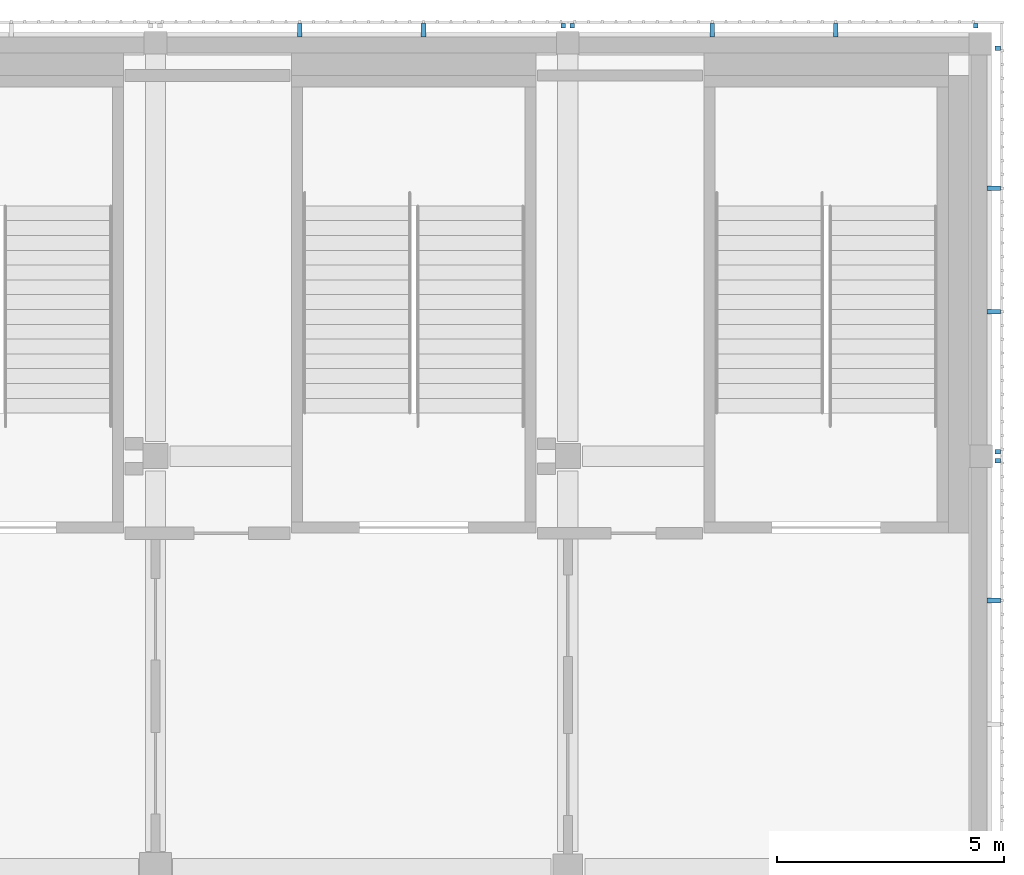
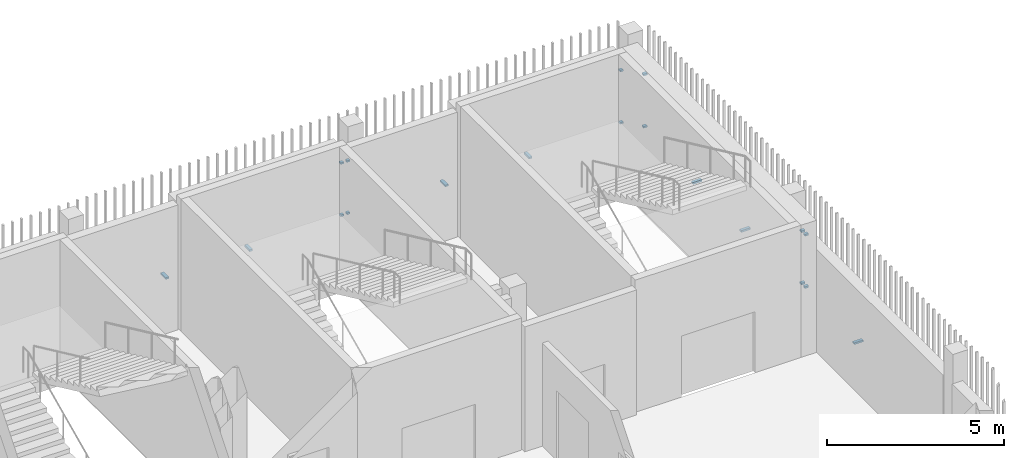
# One storey, part 112 of 139: 19 discrete accessories.
"""IFC4 building model written with IfcOpenShell, lengths in metres."""

from ifc_helpers import new_model, si_unit, direction, frame, origin, origin_2d, place, context, subcontext, project, spatial, rectangle, extrude, material, type_object, element, save


model = new_model("IFC4")

# Units and contexts
model_context = context("Model", 3, precision=1e-05, world=origin(), true_north=direction((0.0, 1.0)))
body_context = subcontext(model_context, "Body", "Model", "MODEL_VIEW")
ifc_project = project(units=[si_unit("LENGTHUNIT", "METRE"), si_unit("AREAUNIT", "SQUARE_METRE"), si_unit("VOLUMEUNIT", "CUBIC_METRE"), si_unit("PLANEANGLEUNIT", "RADIAN"), si_unit("MASSUNIT", "GRAM", prefix="KILO")], contexts=[model_context])

# Site, building, storey
site_placement = place(None, origin())
site = spatial("IfcSite", under=ifc_project, at=site_placement, CompositionType="ELEMENT")
building_placement = place(site_placement, origin())
building = spatial("IfcBuilding", under=site, at=building_placement, Name="Shirokan Park Arena", CompositionType="ELEMENT")
storey_placement = place(building_placement, frame((0.0, 0.0, 15.469970703125)))
storey = spatial("IfcBuildingStorey", under=building, at=storey_placement, Name="L03", CompositionType="ELEMENT", Elevation=15.469970703125)

# Discrete accessories
ifc_material = material(Name="Steel S355", Category="steel")
discrete_accessory_type = type_object("IfcDiscreteAccessoryType", Name="Veil bracket 100x60", PredefinedType="BRACKET", material=ifc_material)
for number, where, z_axis, x_axis, name in (
    (1, (145.985107421875, 100.0, 1.070068359375), (0.0, 0.0, 1.0), (0.0, 1.0, 0.0), "Veil bracket east bay 11 L03 2"),
    (2, (145.985107421875, 100.0, 2.8701171875), (0.0, 0.0, 1.0), (0.0, 1.0, 0.0), "Veil bracket east bay 11 L03 4"),
):
    element("IfcDiscreteAccessory", number, at=place(storey_placement, frame(where, z_axis=z_axis, x_axis=x_axis)), inside=storey, type_object=discrete_accessory_type, Name=name, PredefinedType="BRACKET", context=body_context, shape_type="SweptSolid", body=[
        extrude(rectangle(XDim=0.10009765625, YDim=0.1201171875, at=origin_2d()), origin(), (0.0, 0.0, 1.0), 0.06005859375),
    ])
discrete_accessory_placement = place(storey_placement, frame((145.8974609375, 96.9150390625, 1.070068359375), z_axis=(0.0, 0.0, 1.0), x_axis=(0.0, 1.0, 0.0)))
element("IfcDiscreteAccessory", 3, at=discrete_accessory_placement, inside=storey, type_object=discrete_accessory_type, Name="Veil bracket east bay 11 L03 wall 2", PredefinedType="BRACKET", context=body_context, shape_type="SweptSolid", body=[
    extrude(rectangle(XDim=0.10009765625, YDim=0.294921875, at=origin_2d()), origin(), (0.0, 0.0, 1.0), 0.06005859375),
])
for number, where, z_axis, x_axis, name in (
    (4, (145.985107421875, 100.199951171875, 1.070068359375), (0.0, 0.0, 1.0), (0.0, 1.0, 0.0), "Veil bracket east bay 12 L03 1"),
    (5, (145.985107421875, 109.10009765625, 1.070068359375), (0.0, 0.0, 1.0), (0.0, 1.0, 0.0), "Veil bracket east bay 12 L03 2"),
    (6, (145.985107421875, 100.199951171875, 2.8701171875), (0.0, 0.0, 1.0), (0.0, 1.0, 0.0), "Veil bracket east bay 12 L03 3"),
    (7, (145.985107421875, 109.10009765625, 2.8701171875), (0.0, 0.0, 1.0), (0.0, 1.0, 0.0), "Veil bracket east bay 12 L03 4"),
):
    element("IfcDiscreteAccessory", number, at=place(storey_placement, frame(where, z_axis=z_axis, x_axis=x_axis)), inside=storey, type_object=discrete_accessory_type, Name=name, PredefinedType="BRACKET", context=body_context, shape_type="SweptSolid", body=[
        extrude(rectangle(XDim=0.10009765625, YDim=0.1201171875, at=origin_2d()), origin(), (0.0, 0.0, 1.0), 0.06005859375),
    ])
for number, where, z_axis, x_axis, name in (
    (8, (145.8974609375, 103.284912109375, 1.070068359375), (0.0, 0.0, 1.0), (0.0, 1.0, 0.0), "Veil bracket east bay 12 L03 wall 1"),
    (9, (145.8974609375, 106.014892578125, 1.070068359375), (0.0, 0.0, 1.0), (0.0, 1.0, 0.0), "Veil bracket east bay 12 L03 wall 2"),
):
    element("IfcDiscreteAccessory", number, at=place(storey_placement, frame(where, z_axis=z_axis, x_axis=x_axis)), inside=storey, type_object=discrete_accessory_type, Name=name, PredefinedType="BRACKET", context=body_context, shape_type="SweptSolid", body=[
        extrude(rectangle(XDim=0.10009765625, YDim=0.294921875, at=origin_2d()), origin(), (0.0, 0.0, 1.0), 0.06005859375),
    ])
for number, where, z_axis, x_axis, name in (
    (10, (145.5, 109.597412109375, 1.070068359375), (0.0, 0.0, 1.0), (-1.0, 0.0, 0.0), "Veil bracket north bay 1 L03 1"),
    (11, (136.60009765625, 109.597412109375, 1.070068359375), (0.0, 0.0, 1.0), (-1.0, 0.0, 0.0), "Veil bracket north bay 1 L03 2"),
    (12, (145.5, 109.597412109375, 2.8701171875), (0.0, 0.0, 1.0), (-1.0, 0.0, 0.0), "Veil bracket north bay 1 L03 3"),
    (13, (136.60009765625, 109.597412109375, 2.8701171875), (0.0, 0.0, 1.0), (-1.0, 0.0, 0.0), "Veil bracket north bay 1 L03 4"),
):
    element("IfcDiscreteAccessory", number, at=place(storey_placement, frame(where, z_axis=z_axis, x_axis=x_axis)), inside=storey, type_object=discrete_accessory_type, Name=name, PredefinedType="BRACKET", context=body_context, shape_type="SweptSolid", body=[
        extrude(rectangle(XDim=0.10009765625, YDim=0.094970703125, at=origin_2d()), origin(), (0.0, 0.0, 1.0), 0.06005859375),
    ])
for number, where, z_axis, x_axis, name in (
    (14, (142.4150390625, 109.49755859375, 1.070068359375), (0.0, 0.0, 1.0), (-1.0, 0.0, 0.0), "Veil bracket north bay 1 L03 wall 1"),
    (15, (139.68505859375, 109.49755859375, 1.070068359375), (0.0, 0.0, 1.0), (-1.0, 0.0, 0.0), "Veil bracket north bay 1 L03 wall 2"),
):
    element("IfcDiscreteAccessory", number, at=place(storey_placement, frame(where, z_axis=z_axis, x_axis=x_axis)), inside=storey, type_object=discrete_accessory_type, Name=name, PredefinedType="BRACKET", context=body_context, shape_type="SweptSolid", body=[
        extrude(rectangle(XDim=0.10009765625, YDim=0.294921875, at=origin_2d()), origin(), (0.0, 0.0, 1.0), 0.06005859375),
    ])
for number, where, z_axis, x_axis, name in (
    (16, (136.39990234375, 109.597412109375, 1.070068359375), (0.0, 0.0, 1.0), (-1.0, 0.0, 0.0), "Veil bracket north bay 2 L03 1"),
    (17, (136.39990234375, 109.597412109375, 2.8701171875), (0.0, 0.0, 1.0), (-1.0, 0.0, 0.0), "Veil bracket north bay 2 L03 3"),
):
    element("IfcDiscreteAccessory", number, at=place(storey_placement, frame(where, z_axis=z_axis, x_axis=x_axis)), inside=storey, type_object=discrete_accessory_type, Name=name, PredefinedType="BRACKET", context=body_context, shape_type="SweptSolid", body=[
        extrude(rectangle(XDim=0.10009765625, YDim=0.094970703125, at=origin_2d()), origin(), (0.0, 0.0, 1.0), 0.06005859375),
    ])
for number, where, z_axis, x_axis, name in (
    (18, (133.31494140625, 109.49755859375, 1.070068359375), (0.0, 0.0, 1.0), (-1.0, 0.0, 0.0), "Veil bracket north bay 2 L03 wall 1"),
    (19, (130.5849609375, 109.49755859375, 1.070068359375), (0.0, 0.0, 1.0), (-1.0, 0.0, 0.0), "Veil bracket north bay 2 L03 wall 2"),
):
    element("IfcDiscreteAccessory", number, at=place(storey_placement, frame(where, z_axis=z_axis, x_axis=x_axis)), inside=storey, type_object=discrete_accessory_type, Name=name, PredefinedType="BRACKET", context=body_context, shape_type="SweptSolid", body=[
        extrude(rectangle(XDim=0.10009765625, YDim=0.294921875, at=origin_2d()), origin(), (0.0, 0.0, 1.0), 0.06005859375),
    ])

save(model, "model.ifc")
